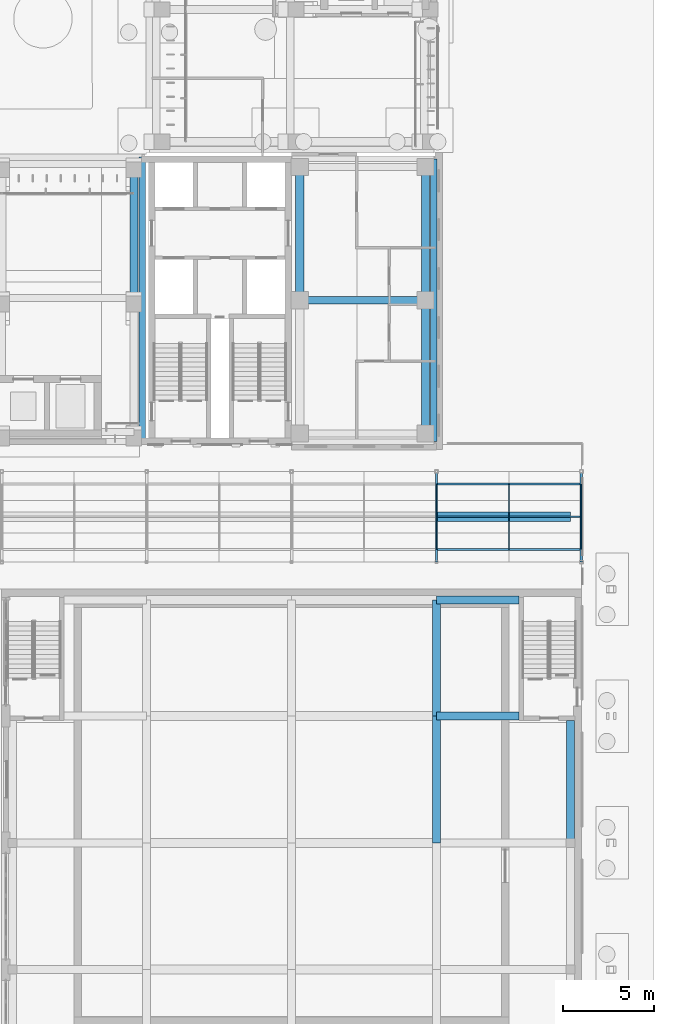
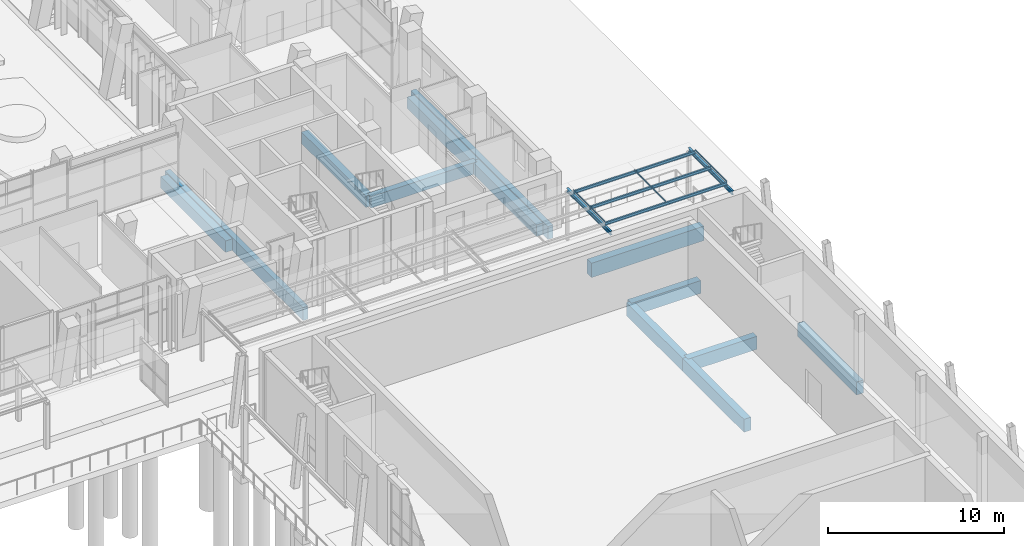
# One storey, part 43 of 144: 15 beams, 9 members.
"""IFC4 building model written with IfcOpenShell, lengths in metres."""

import ifcopenshell
import ifcopenshell.guid

model = None  # the IFC model being written
_history = None  # IfcOwnerHistory: only IFC2X3 demands one
_inside = {}  # id of a spatial element -> (the spatial element, [elements in it])
_under = {}  # id of a project, library or spatial element -> (it, [spatial elements below it])
_declared = {}  # id of a project -> (the project, [libraries it declares])
_typed = {}  # id of a type object -> (the type object, [elements of that type])
_made_of = {}  # id of a material, layer set ... -> (it, [elements and type objects made of it])


def new_model(schema):
    """Start an empty IFC model of exactly this schema.

    Asked for "IFC4X3", IfcOpenShell would pick the latest addendum, in which some entities
    have other attributes; the version numbers below select the first issue.
    IFC2X3 requires an IfcOwnerHistory on every rooted entity: one is made here for all.
    """
    global model, _history
    if schema == "IFC4X3":
        model = ifcopenshell.file(schema_version=(4, 3, 0, 0))
    else:
        model = ifcopenshell.file(schema=schema)
    _inside.clear()
    _under.clear()
    _declared.clear()
    _typed.clear()
    _made_of.clear()
    _history = None
    if model.schema == "IFC2X3":
        org = make("IfcOrganization", Name="unknown")
        user = make(
            "IfcPersonAndOrganization",
            ThePerson=make("IfcPerson", FamilyName="unknown"),
            TheOrganization=org,
        )
        app = make(
            "IfcApplication",
            ApplicationDeveloper=org,
            Version="unknown",
            ApplicationFullName="unknown",
            ApplicationIdentifier="unknown",
        )
        _history = make(
            "IfcOwnerHistory",
            OwningUser=user,
            OwningApplication=app,
            ChangeAction="ADDED",
            CreationDate=0,
        )
    return model


def make(cls, **values):
    """One entity of the class cls with the attributes given. An attribute that is None is left unset."""
    return model.create_entity(
        cls, **{name: value for name, value in values.items() if value is not None}
    )


def rooted(cls, **values):
    """An entity with a GlobalId (a new one), such as an element, a storey or a relation."""
    return make(cls, GlobalId=ifcopenshell.guid.new(), OwnerHistory=_history, **values)


def si_unit(unit_type, name, prefix=None):
    """IfcSIUnit, for example si_unit("LENGTHUNIT", "METRE", prefix="MILLI")."""
    return make("IfcSIUnit", UnitType=unit_type, Prefix=prefix, Name=name)


def assignment(units):
    """IfcUnitAssignment: the units of a project."""
    return None if units is None else make("IfcUnitAssignment", Units=units)


def point(xyz):
    """IfcCartesianPoint."""
    return None if xyz is None else make("IfcCartesianPoint", Coordinates=xyz)


def direction(xyz):
    """IfcDirection."""
    return None if xyz is None else make("IfcDirection", DirectionRatios=xyz)


def frame(location, z_axis=None, x_axis=None):
    """IfcAxis2Placement3D, a coordinate frame: its origin and axes. An axis left out is left unset."""
    return make(
        "IfcAxis2Placement3D",
        Location=point(location),
        Axis=direction(z_axis),
        RefDirection=direction(x_axis),
    )


def frame_2d(location, x_axis=None):
    """IfcAxis2Placement2D, a coordinate frame in the plane: its origin and x axis."""
    return make(
        "IfcAxis2Placement2D", Location=point(location), RefDirection=direction(x_axis)
    )


def origin():
    """The frame at (0, 0, 0) with its axes left unset."""
    return frame((0.0, 0.0, 0.0))


def origin_2d():
    """The frame at (0, 0) in the plane with its x axis left unset."""
    return frame_2d((0.0, 0.0))


def place(relative_to, where):
    """IfcLocalPlacement: puts the frame where relative to a parent placement (None: the world)."""
    return make(
        "IfcLocalPlacement", PlacementRelTo=relative_to, RelativePlacement=where
    )


def context(
    kind, dimensions, precision=None, world=None, true_north=None, identifier=None
):
    """IfcGeometricRepresentationContext, for example the 3D "Model" context."""
    return make(
        "IfcGeometricRepresentationContext",
        ContextIdentifier=identifier,
        ContextType=kind,
        CoordinateSpaceDimension=dimensions,
        Precision=precision,
        WorldCoordinateSystem=world,
        TrueNorth=true_north,
    )


def subcontext(parent, identifier, kind, view, scale=None):
    """IfcGeometricRepresentationSubContext, for example "Body" below "Model"."""
    return make(
        "IfcGeometricRepresentationSubContext",
        ContextIdentifier=identifier,
        ContextType=kind,
        ParentContext=parent,
        TargetScale=scale,
        TargetView=view,
    )


def project(units=None, contexts=None):
    """IfcProject with its units and contexts."""
    return rooted(
        "IfcProject",
        Name="project",
        RepresentationContexts=contexts,
        UnitsInContext=assignment(units),
    )


def spatial(cls, under=None, at=None, **own):
    """A site, building, storey or space (cls), placed at a placement, below another one or the project."""
    s = rooted(cls, ObjectPlacement=at, **own)
    if under is not None:
        _under.setdefault(under.id(), (under, []))[1].append(s)
    return s


def profile(cls, at=None, kind="AREA", **sizes):
    """A parametric profile (cls). Its sizes go by their IFC names, for example OverallWidth=200.0."""
    return make(cls, ProfileType=kind, Position=at, **sizes)


def rectangle(**sizes):
    """IfcRectangleProfileDef."""
    return profile("IfcRectangleProfileDef", **sizes)


def i_section(**sizes):
    """IfcIShapeProfileDef."""
    return profile("IfcIShapeProfileDef", **sizes)


def extrude(swept, where, along, depth):
    """IfcExtrudedAreaSolid: the profile swept, set in the frame where, extruded along a direction by depth."""
    return make(
        "IfcExtrudedAreaSolid",
        SweptArea=swept,
        Position=where,
        ExtrudedDirection=direction(along),
        Depth=depth,
    )


def shape(context_of_items, identifier, shape_type, items):
    """IfcShapeRepresentation: the items that make up one representation, for example the "Body"."""
    return make(
        "IfcShapeRepresentation",
        ContextOfItems=context_of_items,
        RepresentationIdentifier=identifier,
        RepresentationType=shape_type,
        Items=items,
    )


def material(Name=None, Category=None):
    """IfcMaterial."""
    return make("IfcMaterial", Name=Name, Category=Category)


def material_profile(
    of_material, cross_section, Name=None, Category=None, Priority=None
):
    """IfcMaterialProfile: a cross section and its material."""
    return make(
        "IfcMaterialProfile",
        Name=Name,
        Material=of_material,
        Profile=cross_section,
        Priority=Priority,
        Category=Category,
    )


def profile_set(profiles, Name=None, composite=None):
    """IfcMaterialProfileSet."""
    return make(
        "IfcMaterialProfileSet",
        Name=Name,
        MaterialProfiles=profiles,
        CompositeProfile=composite,
    )


def made_of(thing, what):
    """Note that an element or type object is made of a material, layer set ...; save() writes the relation."""
    if what is not None:
        _made_of.setdefault(what.id(), (what, []))[1].append(thing)
    return thing


def type_object(cls, material=None, **own):
    """A type object (cls), such as IfcWallType, which elements share."""
    return made_of(rooted(cls, **own), material)


def element(
    cls,
    number,
    at=None,
    inside=None,
    cuts=None,
    type_object=None,
    material=None,
    context=None,
    identifier="Body",
    shape_type=None,
    held_by="IfcProductDefinitionShape",
    body=None,
    shapes=None,
    **own,
):
    """One element of the class cls, such as IfcWall. Its Tag is "e" and its number.

    at: its placement. inside: the storey or other place that contains it. cuts: it is an
    opening in that element (IfcRelVoidsElement). A single representation is given by context,
    identifier, shape_type and body (its items); several are given by shapes. held_by: the class
    of the entity that holds the representations. save() writes the other relations.
    """
    e = rooted(cls, Tag="e%d" % number, ObjectPlacement=at, **own)
    if body is not None:
        shapes = [shape(context, identifier, shape_type, body)]
    if shapes is not None:
        e.Representation = make(held_by, Representations=shapes)
    if inside is not None:
        _inside.setdefault(inside.id(), (inside, []))[1].append(e)
    if cuts is not None:
        rooted(
            "IfcRelVoidsElement", RelatingBuildingElement=cuts, RelatedOpeningElement=e
        )
    if type_object is not None:
        _typed.setdefault(type_object.id(), (type_object, []))[1].append(e)
    return made_of(e, material)


def aggregate(whole, parts):
    """IfcRelAggregates: a whole, such as a stair, and the parts it consists of."""
    return rooted("IfcRelAggregates", RelatingObject=whole, RelatedObjects=parts)


def save(model, path):
    """Write the relations noted so far, then the file.

    IfcRelAggregates (storeys below a building ...), IfcRelContainedInSpatialStructure (elements
    in a storey), IfcRelDefinesByType, IfcRelAssociatesMaterial and IfcRelDeclares: one each for
    every whole, place, type object, material and project.
    """
    for whole, parts in _under.values():
        aggregate(whole, parts)
    for where, things in _inside.values():
        rooted(
            "IfcRelContainedInSpatialStructure",
            RelatedElements=things,
            RelatingStructure=where,
        )
    for kind, things in _typed.values():
        rooted("IfcRelDefinesByType", RelatedObjects=things, RelatingType=kind)
    for what, things in _made_of.values():
        rooted("IfcRelAssociatesMaterial", RelatedObjects=things, RelatingMaterial=what)
    for by, libraries in _declared.values():
        rooted("IfcRelDeclares", RelatingContext=by, RelatedDefinitions=libraries)
    model.write(path)


model = new_model("IFC4")

# Units and contexts
model_context = context("Model", 3, precision=1e-05, world=origin(), true_north=direction((0.0, 1.0)))
body_context = subcontext(model_context, "Body", "Model", "MODEL_VIEW")
ifc_project = project(units=[si_unit("LENGTHUNIT", "METRE"), si_unit("AREAUNIT", "SQUARE_METRE"), si_unit("VOLUMEUNIT", "CUBIC_METRE"), si_unit("PLANEANGLEUNIT", "RADIAN"), si_unit("MASSUNIT", "GRAM", prefix="KILO")], contexts=[model_context])

# Site, building, storey
site_placement = place(None, origin())
site = spatial("IfcSite", under=ifc_project, at=site_placement, CompositionType="ELEMENT")
building_placement = place(site_placement, origin())
building = spatial("IfcBuilding", under=site, at=building_placement, Name="Lantern Court Media Centre", CompositionType="ELEMENT")
storey_placement = place(building_placement, origin())
storey = spatial("IfcBuildingStorey", under=building, at=storey_placement, Name="L00", CompositionType="ELEMENT", Elevation=0.0)

# Beams
ifc_material_1 = material(Name="Steel S355J2 (EN 10025-2)", Category="steel")
ifc_material_profile_1 = material_profile(ifc_material_1, i_section(OverallWidth=0.135009765625, OverallDepth=0.27001953125, WebThickness=0.006591796875, FlangeThickness=0.01025390625, FilletRadius=0.014892578125, at=origin_2d()), Name="IPE 270")
ifc_profile_set_1 = profile_set([ifc_material_profile_1], Name="Steel S355J2 (EN 10025-2)")
beam_type_1 = type_object("IfcBeamType", Name="Cloister canopy portal beam IPE 270", PredefinedType="BEAM", material=ifc_profile_set_1)
for number, where, z_axis, x_axis, name in (
    (1, (96.0, 41.5, 3.465087890625), (0.0, 1.0, 0.0), (-1.0, 0.0, 0.0), "Cloister portal beam 2-4"),
    (2, (104.0, 41.5, 3.465087890625), (0.0, 1.0, 0.0), (-1.0, 0.0, 0.0), "Cloister portal beam 2-5"),
):
    element("IfcBeam", number, at=place(storey_placement, frame(where, z_axis=z_axis, x_axis=x_axis)), inside=storey, type_object=beam_type_1, Name=name, PredefinedType="BEAM", context=body_context, shape_type="SweptSolid", body=[
        extrude(i_section(OverallWidth=0.135009765625, OverallDepth=0.27001953125, WebThickness=0.006591796875, FlangeThickness=0.01025390625, FilletRadius=0.014892578125, at=origin_2d()), origin(), (0.0, 0.0, 1.0), 5.0),
    ])

# Members
ifc_material_profile_2 = material_profile(ifc_material_1, i_section(OverallWidth=0.10009765625, OverallDepth=0.199951171875, WebThickness=0.005615234375, FlangeThickness=0.008544921875, FilletRadius=0.011962890625, at=origin_2d()), Name="IPE 200")
ifc_profile_set_2 = profile_set([ifc_material_profile_2], Name="Steel S355J2 (EN 10025-2)")
member_type_1 = type_object("IfcMemberType", Name="Cloister canopy purlin IPE 200", PredefinedType="PURLIN", material=ifc_profile_set_2)
for number, where, z_axis, x_axis, name in (
    (3, (96.0, 42.199951171875, 3.699951171875), (1.0, 0.0, 0.0), (0.0, 1.0, 0.0), "Cloister purlin 2-1-4"),
    (4, (96.0, 44.0, 3.699951171875), (1.0, 0.0, 0.0), (0.0, 1.0, 0.0), "Cloister purlin 2-2-4"),
    (5, (96.0, 45.800048828125, 3.699951171875), (1.0, 0.0, 0.0), (0.0, 1.0, 0.0), "Cloister purlin 2-3-4"),
):
    element("IfcMember", number, at=place(storey_placement, frame(where, z_axis=z_axis, x_axis=x_axis)), inside=storey, type_object=member_type_1, Name=name, PredefinedType="PURLIN", context=body_context, shape_type="SweptSolid", body=[
        extrude(i_section(OverallWidth=0.10009765625, OverallDepth=0.199951171875, WebThickness=0.005615234375, FlangeThickness=0.008544921875, FilletRadius=0.011962890625, at=origin_2d()), origin(), (0.0, 0.0, 1.0), 8.0),
    ])
ifc_material_profile_3 = material_profile(ifc_material_1, i_section(OverallWidth=0.0458984375, OverallDepth=0.080078125, WebThickness=0.00390625, FlangeThickness=0.005126953125, FilletRadius=0.0048828125, at=origin_2d()), Name="IPE 80")
ifc_profile_set_3 = profile_set([ifc_material_profile_3], Name="Steel S355J2 (EN 10025-2)")
member_type_2 = type_object("IfcMemberType", Name="Cloister sheeting rail IPE 80", PredefinedType="STRUT", material=ifc_profile_set_3)
for number, where, z_axis, x_axis, name in (
    (6, (96.0, 42.199951171875, 3.840087890625), (0.0, 1.0, 0.0), (-1.0, 0.0, 0.0), "Cloister sheeting rail 2-7-1"),
    (7, (96.0, 44.0, 3.840087890625), (0.0, 1.0, 0.0), (-1.0, 0.0, 0.0), "Cloister sheeting rail 2-7-2"),
    (8, (100.0, 42.199951171875, 3.840087890625), (0.0, 1.0, 0.0), (-1.0, 0.0, 0.0), "Cloister sheeting rail 2-8-1"),
    (9, (100.0, 44.0, 3.840087890625), (0.0, 1.0, 0.0), (-1.0, 0.0, 0.0), "Cloister sheeting rail 2-8-2"),
    (10, (104.0, 42.199951171875, 3.840087890625), (0.0, 1.0, 0.0), (-1.0, 0.0, 0.0), "Cloister sheeting rail 2-9-1"),
    (11, (104.0, 44.0, 3.840087890625), (0.0, 1.0, 0.0), (-1.0, 0.0, 0.0), "Cloister sheeting rail 2-9-2"),
):
    element("IfcMember", number, at=place(storey_placement, frame(where, z_axis=z_axis, x_axis=x_axis)), inside=storey, type_object=member_type_2, Name=name, PredefinedType="STRUT", context=body_context, shape_type="SweptSolid", body=[
        extrude(i_section(OverallWidth=0.0458984375, OverallDepth=0.080078125, WebThickness=0.00390625, FlangeThickness=0.005126953125, FilletRadius=0.0048828125, at=origin_2d()), origin(), (0.0, 0.0, 1.0), 1.800048828125),
    ])

# Beams
ifc_material_2 = material(Name="Concrete C35", Category="concrete")
ifc_material_profile_4 = material_profile(ifc_material_2, rectangle(XDim=0.35009765625, YDim=0.89990234375, at=origin_2d()), Name="RC 350x900")
ifc_profile_set_4 = profile_set([ifc_material_profile_4], Name="Concrete C35")
beam_type_2 = type_object("IfcBeamType", Name="RC BEAM 350x900", PredefinedType="BEAM", material=ifc_profile_set_4)
beam_1_placement = place(storey_placement, frame((95.85009765625, 48.14990234375, -0.449951171875), z_axis=(0.0, 1.0, 0.0), x_axis=(-1.0, 0.0, 0.0)))
element("IfcBeam", 12, at=beam_1_placement, inside=storey, type_object=beam_type_2, Name="EB-SE-L00-E", PredefinedType="BEAM", context=body_context, shape_type="SweptSolid", body=[
    extrude(rectangle(XDim=0.35009765625, YDim=0.89990234375, at=origin_2d()), origin(), (0.0, 0.0, 1.0), 15.60009765625),
])
beam_2_placement = place(storey_placement, frame((79.75, 48.14990234375, -0.449951171875), z_axis=(0.0, 1.0, 0.0), x_axis=(-1.0, 0.0, 0.0)))
element("IfcBeam", 13, at=beam_2_placement, inside=storey, type_object=beam_type_2, Name="EB-S-L00-D", PredefinedType="BEAM", context=body_context, shape_type="SweptSolid", body=[
    extrude(rectangle(XDim=0.35009765625, YDim=0.89990234375, at=origin_2d()), origin(), (0.0, 0.0, 1.0), 15.7001953125),
])
ifc_material_profile_5 = material_profile(ifc_material_2, rectangle(XDim=0.39990234375, YDim=0.800048828125, at=origin_2d()), Name="RC 400x800")
ifc_profile_set_5 = profile_set([ifc_material_profile_5], Name="Concrete C35")
beam_type_3 = type_object("IfcBeamType", Name="RC BEAM 400x800", PredefinedType="BEAM", material=ifc_profile_set_5)
beam_3_placement = place(storey_placement, frame((88.449951171875, 55.949951171875, -0.39990234375), z_axis=(1.0, 0.0, 0.0), x_axis=(0.0, 1.0, 0.0)))
element("IfcBeam", 14, at=beam_3_placement, inside=storey, type_object=beam_type_3, Name="BB-SE-L00-Y0-55", PredefinedType="BEAM", context=body_context, shape_type="SweptSolid", body=[
    extrude(rectangle(XDim=0.39990234375, YDim=0.800048828125, at=origin_2d()), origin(), (0.0, 0.0, 1.0), 6.949951171875),
])
ifc_material_profile_6 = material_profile(ifc_material_2, rectangle(XDim=0.449951171875, YDim=0.800048828125, at=origin_2d()), Name="RC 450x800")
ifc_profile_set_6 = profile_set([ifc_material_profile_6], Name="Concrete C35")
beam_type_4 = type_object("IfcBeamType", Name="RC BEAM 450x800", PredefinedType="BEAM", material=ifc_profile_set_6)
beam_4_placement = place(storey_placement, frame((88.449951171875, 55.949951171875, -0.39990234375), z_axis=(0.0, 1.0, 0.0), x_axis=(-1.0, 0.0, 0.0)))
element("IfcBeam", 15, at=beam_4_placement, inside=storey, type_object=beam_type_4, Name="BB-SE-L00-X1-88", PredefinedType="BEAM", context=body_context, shape_type="SweptSolid", body=[
    extrude(rectangle(XDim=0.449951171875, YDim=0.800048828125, at=origin_2d()), origin(), (0.0, 0.0, 1.0), 7.35009765625),
])
beam_5_placement = place(storey_placement, frame((95.39990234375, 48.60009765625, -0.39990234375), z_axis=(0.0, 1.0, 0.0), x_axis=(-1.0, 0.0, 0.0)))
element("IfcBeam", 16, at=beam_5_placement, inside=storey, type_object=beam_type_4, Name="BB-SE-L00-X0-95", PredefinedType="BEAM", context=body_context, shape_type="SweptSolid", body=[
    extrude(rectangle(XDim=0.449951171875, YDim=0.800048828125, at=origin_2d()), origin(), (0.0, 0.0, 1.0), 7.349853515625),
])
beam_6_placement = place(storey_placement, frame((95.39990234375, 55.949951171875, -0.39990234375), z_axis=(0.0, 1.0, 0.0), x_axis=(-1.0, 0.0, 0.0)))
element("IfcBeam", 17, at=beam_6_placement, inside=storey, type_object=beam_type_4, Name="BB-SE-L00-X1-95", PredefinedType="BEAM", context=body_context, shape_type="SweptSolid", body=[
    extrude(rectangle(XDim=0.449951171875, YDim=0.800048828125, at=origin_2d()), origin(), (0.0, 0.0, 1.0), 7.35009765625),
])
beam_7_placement = place(storey_placement, frame((79.300048828125, 56.083251953125, -0.39990234375), z_axis=(0.0, 1.0, 0.0), x_axis=(-1.0, 0.0, 0.0)))
element("IfcBeam", 18, at=beam_7_placement, inside=storey, type_object=beam_type_4, Name="TB-S-L00-7-2", PredefinedType="BEAM", context=body_context, shape_type="SweptSolid", body=[
    extrude(rectangle(XDim=0.449951171875, YDim=0.800048828125, at=origin_2d()), origin(), (0.0, 0.0, 1.0), 7.400146484375),
])
ifc_material_profile_7 = material_profile(ifc_material_2, rectangle(XDim=0.449951171875, YDim=0.89990234375, at=origin_2d()), Name="RC 450x900")
ifc_profile_set_7 = profile_set([ifc_material_profile_7], Name="Concrete C35")
beam_type_5 = type_object("IfcBeamType", Name="RC BEAM 450x900", PredefinedType="BEAM", material=ifc_profile_set_7)
for number, where, z_axis, x_axis, name in (
    (19, (96.0, 33.0, -0.449951171875), (1.0, 0.0, 0.0), (0.0, 1.0, 0.0), "HB-V2-L00-PX5-3"),
    (20, (96.0, 39.39990234375, -0.449951171875), (1.0, 0.0, 0.0), (0.0, 1.0, 0.0), "HB-V2-L00-PX6-3"),
):
    element("IfcBeam", number, at=place(storey_placement, frame(where, z_axis=z_axis, x_axis=x_axis)), inside=storey, type_object=beam_type_5, Name=name, PredefinedType="BEAM", context=body_context, shape_type="SweptSolid", body=[
        extrude(rectangle(XDim=0.449951171875, YDim=0.89990234375, at=origin_2d()), origin(), (0.0, 0.0, 1.0), 4.550048828125),
    ])
beam_8_placement = place(storey_placement, frame((96.0, 26.0, -0.449951171875), z_axis=(0.0, 1.0, 0.0), x_axis=(-1.0, 0.0, 0.0)))
element("IfcBeam", 21, at=beam_8_placement, inside=storey, type_object=beam_type_5, Name="HB-V2-L00-PY3-4", PredefinedType="BEAM", context=body_context, shape_type="SweptSolid", body=[
    extrude(rectangle(XDim=0.449951171875, YDim=0.89990234375, at=origin_2d()), origin(), (0.0, 0.0, 1.0), 7.0),
])
beam_9_placement = place(storey_placement, frame((96.0, 33.0, -0.449951171875), z_axis=(0.0, 1.0, 0.0), x_axis=(-1.0, 0.0, 0.0)))
element("IfcBeam", 22, at=beam_9_placement, inside=storey, type_object=beam_type_5, Name="HB-V2-L00-PY3-5", PredefinedType="BEAM", context=body_context, shape_type="SweptSolid", body=[
    extrude(rectangle(XDim=0.449951171875, YDim=0.89990234375, at=origin_2d()), origin(), (0.0, 0.0, 1.0), 6.39990234375),
])
beam_10_placement = place(storey_placement, frame((103.39990234375, 26.0, -0.449951171875), z_axis=(0.0, 1.0, 0.0), x_axis=(-1.0, 0.0, 0.0)))
element("IfcBeam", 23, at=beam_10_placement, inside=storey, type_object=beam_type_5, Name="HB-V2-L00-PY4-4", PredefinedType="BEAM", context=body_context, shape_type="SweptSolid", body=[
    extrude(rectangle(XDim=0.449951171875, YDim=0.89990234375, at=origin_2d()), origin(), (0.0, 0.0, 1.0), 6.75),
])
ifc_material_profile_8 = material_profile(ifc_material_2, rectangle(XDim=0.5, YDim=1.0, at=origin_2d()), Name="RC 500x1000")
ifc_profile_set_8 = profile_set([ifc_material_profile_8], Name="Concrete C35")
beam_type_6 = type_object("IfcBeamType", Name="RC BEAM 500x1000", PredefinedType="BEAM", material=ifc_profile_set_8)
beam_11_placement = place(storey_placement, frame((96.0, 44.0, -0.5), z_axis=(1.0, 0.0, 0.0), x_axis=(0.0, 1.0, 0.0)))
element("IfcBeam", 24, at=beam_11_placement, inside=storey, type_object=beam_type_6, Name="GB-GAL-12", PredefinedType="BEAM", context=body_context, shape_type="SweptSolid", body=[
    extrude(rectangle(XDim=0.5, YDim=1.0, at=origin_2d()), origin(), (0.0, 0.0, 1.0), 7.39990234375),
])

save(model, "model.ifc")
